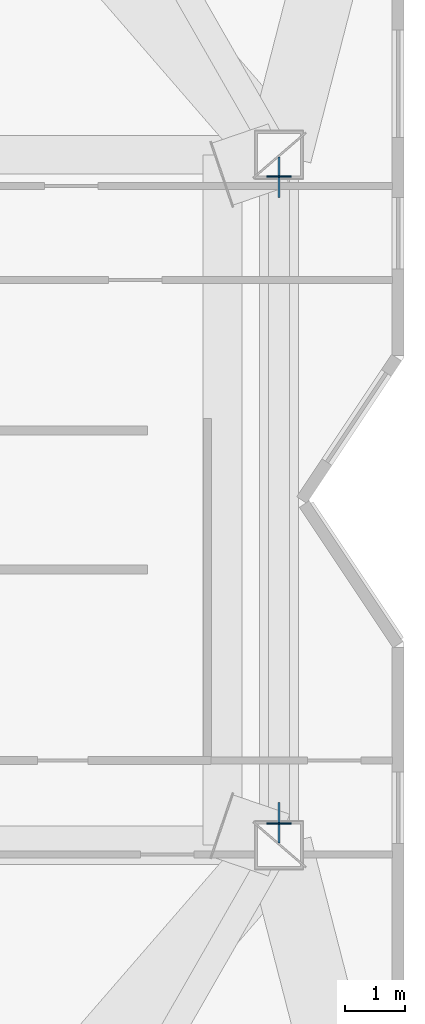
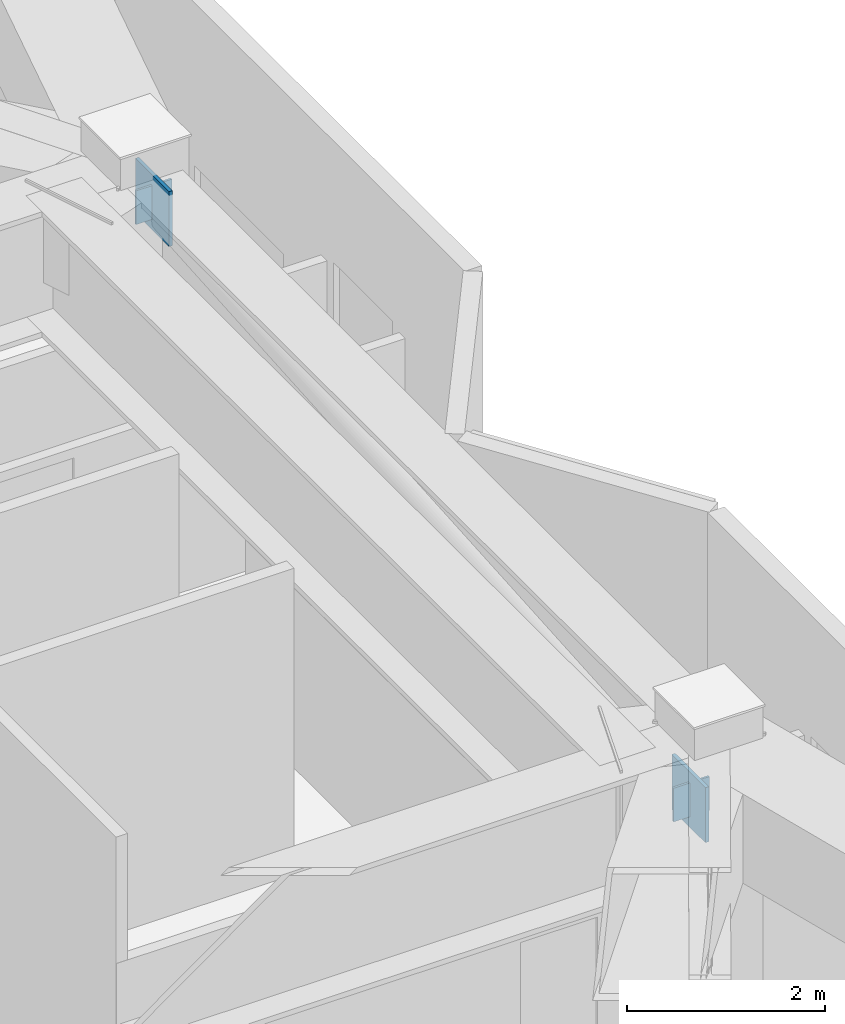
# One storey, part 9 of 15: 4 plates.
"""IFC4 building model written with IfcOpenShell, lengths in metres."""

import ifcopenshell
import ifcopenshell.guid

model = None  # the IFC model being written
_history = None  # IfcOwnerHistory: only IFC2X3 demands one
_inside = {}  # id of a spatial element -> (the spatial element, [elements in it])
_under = {}  # id of a project, library or spatial element -> (it, [spatial elements below it])
_declared = {}  # id of a project -> (the project, [libraries it declares])
_typed = {}  # id of a type object -> (the type object, [elements of that type])
_made_of = {}  # id of a material, layer set ... -> (it, [elements and type objects made of it])


def new_model(schema):
    """Start an empty IFC model of exactly this schema.

    Asked for "IFC4X3", IfcOpenShell would pick the latest addendum, in which some entities
    have other attributes; the version numbers below select the first issue.
    IFC2X3 requires an IfcOwnerHistory on every rooted entity: one is made here for all.
    """
    global model, _history
    if schema == "IFC4X3":
        model = ifcopenshell.file(schema_version=(4, 3, 0, 0))
    else:
        model = ifcopenshell.file(schema=schema)
    _inside.clear()
    _under.clear()
    _declared.clear()
    _typed.clear()
    _made_of.clear()
    _history = None
    if model.schema == "IFC2X3":
        org = make("IfcOrganization", Name="unknown")
        user = make(
            "IfcPersonAndOrganization",
            ThePerson=make("IfcPerson", FamilyName="unknown"),
            TheOrganization=org,
        )
        app = make(
            "IfcApplication",
            ApplicationDeveloper=org,
            Version="unknown",
            ApplicationFullName="unknown",
            ApplicationIdentifier="unknown",
        )
        _history = make(
            "IfcOwnerHistory",
            OwningUser=user,
            OwningApplication=app,
            ChangeAction="ADDED",
            CreationDate=0,
        )
    return model


def make(cls, **values):
    """One entity of the class cls with the attributes given. An attribute that is None is left unset."""
    return model.create_entity(
        cls, **{name: value for name, value in values.items() if value is not None}
    )


def rooted(cls, **values):
    """An entity with a GlobalId (a new one), such as an element, a storey or a relation."""
    return make(cls, GlobalId=ifcopenshell.guid.new(), OwnerHistory=_history, **values)


def si_unit(unit_type, name, prefix=None):
    """IfcSIUnit, for example si_unit("LENGTHUNIT", "METRE", prefix="MILLI")."""
    return make("IfcSIUnit", UnitType=unit_type, Prefix=prefix, Name=name)


def assignment(units):
    """IfcUnitAssignment: the units of a project."""
    return None if units is None else make("IfcUnitAssignment", Units=units)


def point(xyz):
    """IfcCartesianPoint."""
    return None if xyz is None else make("IfcCartesianPoint", Coordinates=xyz)


def direction(xyz):
    """IfcDirection."""
    return None if xyz is None else make("IfcDirection", DirectionRatios=xyz)


def frame(location, z_axis=None, x_axis=None):
    """IfcAxis2Placement3D, a coordinate frame: its origin and axes. An axis left out is left unset."""
    return make(
        "IfcAxis2Placement3D",
        Location=point(location),
        Axis=direction(z_axis),
        RefDirection=direction(x_axis),
    )


def frame_2d(location, x_axis=None):
    """IfcAxis2Placement2D, a coordinate frame in the plane: its origin and x axis."""
    return make(
        "IfcAxis2Placement2D", Location=point(location), RefDirection=direction(x_axis)
    )


def origin():
    """The frame at (0, 0, 0) with its axes left unset."""
    return frame((0.0, 0.0, 0.0))


def origin_2d():
    """The frame at (0, 0) in the plane with its x axis left unset."""
    return frame_2d((0.0, 0.0))


def place(relative_to, where):
    """IfcLocalPlacement: puts the frame where relative to a parent placement (None: the world)."""
    return make(
        "IfcLocalPlacement", PlacementRelTo=relative_to, RelativePlacement=where
    )


def context(
    kind, dimensions, precision=None, world=None, true_north=None, identifier=None
):
    """IfcGeometricRepresentationContext, for example the 3D "Model" context."""
    return make(
        "IfcGeometricRepresentationContext",
        ContextIdentifier=identifier,
        ContextType=kind,
        CoordinateSpaceDimension=dimensions,
        Precision=precision,
        WorldCoordinateSystem=world,
        TrueNorth=true_north,
    )


def subcontext(parent, identifier, kind, view, scale=None):
    """IfcGeometricRepresentationSubContext, for example "Body" below "Model"."""
    return make(
        "IfcGeometricRepresentationSubContext",
        ContextIdentifier=identifier,
        ContextType=kind,
        ParentContext=parent,
        TargetScale=scale,
        TargetView=view,
    )


def project(units=None, contexts=None):
    """IfcProject with its units and contexts."""
    return rooted(
        "IfcProject",
        Name="project",
        RepresentationContexts=contexts,
        UnitsInContext=assignment(units),
    )


def spatial(cls, under=None, at=None, **own):
    """A site, building, storey or space (cls), placed at a placement, below another one or the project."""
    s = rooted(cls, ObjectPlacement=at, **own)
    if under is not None:
        _under.setdefault(under.id(), (under, []))[1].append(s)
    return s


def profile(cls, at=None, kind="AREA", **sizes):
    """A parametric profile (cls). Its sizes go by their IFC names, for example OverallWidth=200.0."""
    return make(cls, ProfileType=kind, Position=at, **sizes)


def rectangle(**sizes):
    """IfcRectangleProfileDef."""
    return profile("IfcRectangleProfileDef", **sizes)


def extrude(swept, where, along, depth):
    """IfcExtrudedAreaSolid: the profile swept, set in the frame where, extruded along a direction by depth."""
    return make(
        "IfcExtrudedAreaSolid",
        SweptArea=swept,
        Position=where,
        ExtrudedDirection=direction(along),
        Depth=depth,
    )


def shape(context_of_items, identifier, shape_type, items):
    """IfcShapeRepresentation: the items that make up one representation, for example the "Body"."""
    return make(
        "IfcShapeRepresentation",
        ContextOfItems=context_of_items,
        RepresentationIdentifier=identifier,
        RepresentationType=shape_type,
        Items=items,
    )


def material(Name=None, Category=None):
    """IfcMaterial."""
    return make("IfcMaterial", Name=Name, Category=Category)


def layer(
    of_material, thickness, ventilated=None, Name=None, Category=None, Priority=None
):
    """IfcMaterialLayer: one layer of a wall or slab, of a material (None: an air gap)."""
    return make(
        "IfcMaterialLayer",
        Material=of_material,
        LayerThickness=thickness,
        IsVentilated=ventilated,
        Name=Name,
        Category=Category,
        Priority=Priority,
    )


def layer_set(layers, Name=None):
    """IfcMaterialLayerSet."""
    return make("IfcMaterialLayerSet", MaterialLayers=layers, LayerSetName=Name)


def made_of(thing, what):
    """Note that an element or type object is made of a material, layer set ...; save() writes the relation."""
    if what is not None:
        _made_of.setdefault(what.id(), (what, []))[1].append(thing)
    return thing


def type_object(cls, material=None, **own):
    """A type object (cls), such as IfcWallType, which elements share."""
    return made_of(rooted(cls, **own), material)


def element(
    cls,
    number,
    at=None,
    inside=None,
    cuts=None,
    type_object=None,
    material=None,
    context=None,
    identifier="Body",
    shape_type=None,
    held_by="IfcProductDefinitionShape",
    body=None,
    shapes=None,
    **own,
):
    """One element of the class cls, such as IfcWall. Its Tag is "e" and its number.

    at: its placement. inside: the storey or other place that contains it. cuts: it is an
    opening in that element (IfcRelVoidsElement). A single representation is given by context,
    identifier, shape_type and body (its items); several are given by shapes. held_by: the class
    of the entity that holds the representations. save() writes the other relations.
    """
    e = rooted(cls, Tag="e%d" % number, ObjectPlacement=at, **own)
    if body is not None:
        shapes = [shape(context, identifier, shape_type, body)]
    if shapes is not None:
        e.Representation = make(held_by, Representations=shapes)
    if inside is not None:
        _inside.setdefault(inside.id(), (inside, []))[1].append(e)
    if cuts is not None:
        rooted(
            "IfcRelVoidsElement", RelatingBuildingElement=cuts, RelatedOpeningElement=e
        )
    if type_object is not None:
        _typed.setdefault(type_object.id(), (type_object, []))[1].append(e)
    return made_of(e, material)


def aggregate(whole, parts):
    """IfcRelAggregates: a whole, such as a stair, and the parts it consists of."""
    return rooted("IfcRelAggregates", RelatingObject=whole, RelatedObjects=parts)


def save(model, path):
    """Write the relations noted so far, then the file.

    IfcRelAggregates (storeys below a building ...), IfcRelContainedInSpatialStructure (elements
    in a storey), IfcRelDefinesByType, IfcRelAssociatesMaterial and IfcRelDeclares: one each for
    every whole, place, type object, material and project.
    """
    for whole, parts in _under.values():
        aggregate(whole, parts)
    for where, things in _inside.values():
        rooted(
            "IfcRelContainedInSpatialStructure",
            RelatedElements=things,
            RelatingStructure=where,
        )
    for kind, things in _typed.values():
        rooted("IfcRelDefinesByType", RelatedObjects=things, RelatingType=kind)
    for what, things in _made_of.values():
        rooted("IfcRelAssociatesMaterial", RelatedObjects=things, RelatingMaterial=what)
    for by, libraries in _declared.values():
        rooted("IfcRelDeclares", RelatingContext=by, RelatedDefinitions=libraries)
    model.write(path)


model = new_model("IFC4")

# Units and contexts
model_context = context("Model", 3, precision=1e-05, world=origin(), true_north=direction((0.0, 1.0)))
body_context = subcontext(model_context, "Body", "Model", "MODEL_VIEW")
ifc_project = project(units=[si_unit("LENGTHUNIT", "METRE"), si_unit("AREAUNIT", "SQUARE_METRE"), si_unit("VOLUMEUNIT", "CUBIC_METRE"), si_unit("PLANEANGLEUNIT", "RADIAN"), si_unit("MASSUNIT", "GRAM", prefix="KILO")], contexts=[model_context])

# Site, building, storey
site_placement = place(None, origin())
site = spatial("IfcSite", under=ifc_project, at=site_placement, CompositionType="ELEMENT")
building_placement = place(site_placement, origin())
building = spatial("IfcBuilding", under=site, at=building_placement, Name="Khamvora Tower", CompositionType="ELEMENT")
storey_placement = place(building_placement, frame((0.0, 0.0, 290.449951171875)))
storey = spatial("IfcBuildingStorey", under=building, at=storey_placement, Name="L74", CompositionType="ELEMENT", Elevation=290.449951171875)

# Plates
ifc_material_1 = material(Name="Steel S355", Category="steel")
ifc_layer_1 = layer(ifc_material_1, 0.02490234375)
ifc_layer_set_1 = layer_set([ifc_layer_1], Name="Steel S355")
plate_type_1 = type_object("IfcPlateType", Name="PL-CAP-25", PredefinedType="SHEET", material=ifc_layer_set_1)
for number, where, z_axis, x_axis, name in (
    (1, (62.89990234375, 22.56689453125, 2.498046875), (0.0, 0.0, 1.0), (0.0, 1.0, 0.0), "L74 hollow section steel end cap plate 1279"),
    (2, (62.89990234375, 33.43310546875, 3.280029296875), (0.0, 0.0, 1.0), (0.0, 1.0, 0.0), "L74 hollow section steel end cap plate 1280"),
):
    element("IfcPlate", number, at=place(storey_placement, frame(where, z_axis=z_axis, x_axis=x_axis)), inside=storey, type_object=plate_type_1, Name=name, PredefinedType="SHEET", context=body_context, shape_type="SweptSolid", body=[
        extrude(rectangle(XDim=0.02490234375, YDim=0.416015625, at=origin_2d()), origin(), (0.0, 0.0, 1.0), 0.416015625),
    ])
ifc_material_2 = material(Name="Steel S460", Category="steel")
ifc_layer_2 = layer(ifc_material_2, 0.0400390625)
ifc_layer_set_2 = layer_set([ifc_layer_2], Name="Steel S460")
plate_type_2 = type_object("IfcPlateType", Name="PLT-GUS-40", PredefinedType="SHEET", material=ifc_layer_set_2)
for number, where, z_axis, x_axis, name in (
    (3, (62.89990234375, 22.5791015625, 2.3671875), (0.0, 0.0, 1.0), (0.0, 1.0, 0.0), "L74 brace connection node gusset plate 0455"),
    (4, (62.89990234375, 33.4208984375, 3.14697265625), (0.0, 0.0, 1.0), (0.0, 1.0, 0.0), "L74 brace connection node gusset plate 0456"),
):
    element("IfcPlate", number, at=place(storey_placement, frame(where, z_axis=z_axis, x_axis=x_axis)), inside=storey, type_object=plate_type_2, Name=name, PredefinedType="SHEET", context=body_context, shape_type="SweptSolid", body=[
        extrude(rectangle(XDim=0.679931640625, YDim=0.0400390625, at=origin_2d()), origin(), (0.0, 0.0, 1.0), 0.679931640625),
    ])

save(model, "model.ifc")
